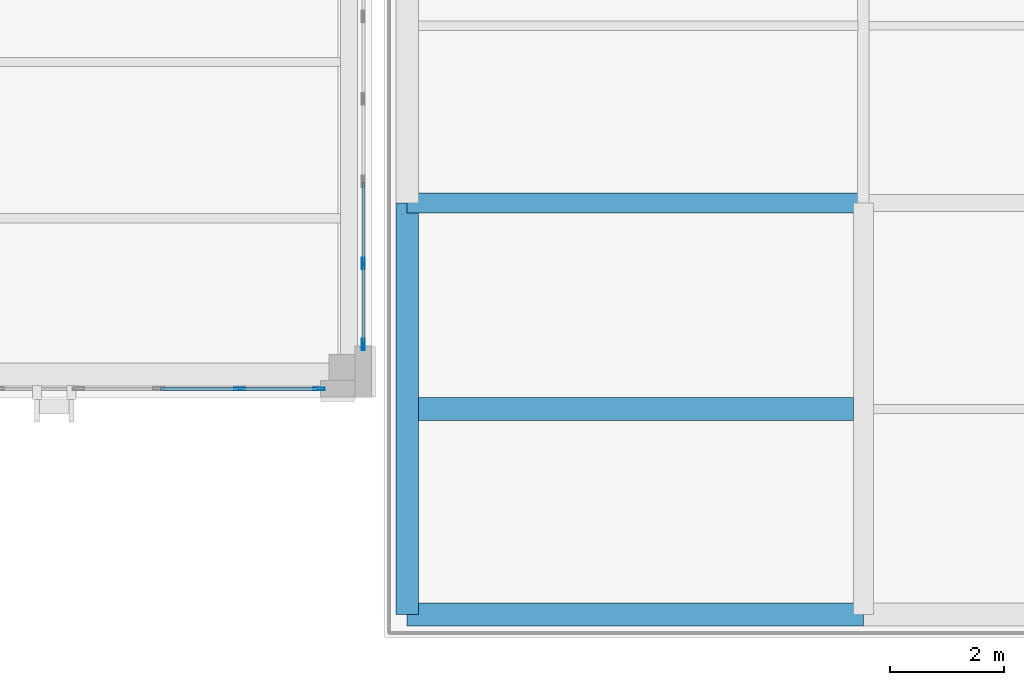
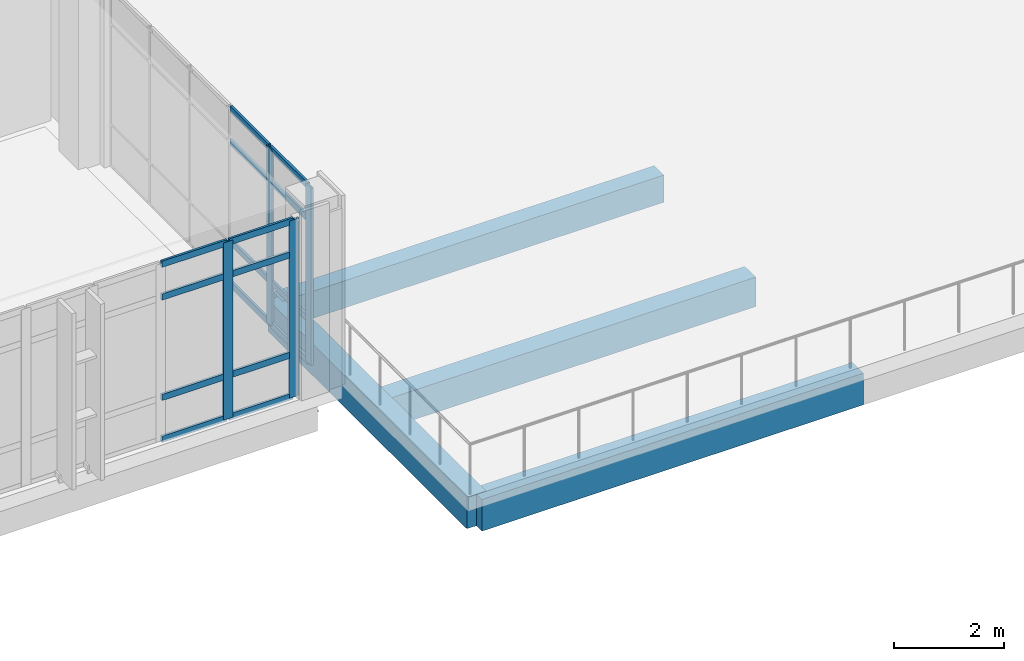
# One storey, part 47 of 165: 20 members, 4 beams, 2 elements without a shape of their own.
"""IFC4 building model written with IfcOpenShell, lengths in metres."""

from ifc_helpers import new_model, si_unit, direction, frame, origin, origin_2d, place, context, subcontext, project, spatial, rectangle, hollow_rectangle, extrude, material, layer, layer_set, material_profile, profile_set, type_object, element, aggregate, save


model = new_model("IFC4")

# Units and contexts
model_context = context("Model", 3, precision=1e-05, world=origin(), true_north=direction((0.0, 1.0)))
body_context = subcontext(model_context, "Body", "Model", "MODEL_VIEW")
ifc_project = project(units=[si_unit("LENGTHUNIT", "METRE"), si_unit("AREAUNIT", "SQUARE_METRE"), si_unit("VOLUMEUNIT", "CUBIC_METRE"), si_unit("PLANEANGLEUNIT", "RADIAN"), si_unit("MASSUNIT", "GRAM", prefix="KILO")], contexts=[model_context])

# Site, building, storey
site_placement = place(None, origin())
site = spatial("IfcSite", under=ifc_project, at=site_placement, CompositionType="ELEMENT")
building_placement = place(site_placement, origin())
building = spatial("IfcBuilding", under=site, at=building_placement, Name="Qalavern Law Courts", CompositionType="ELEMENT")
storey_placement = place(building_placement, frame((0.0, 0.0, 14.39990234375)))
storey = spatial("IfcBuildingStorey", under=building, at=storey_placement, Name="L03", CompositionType="ELEMENT", Elevation=14.39990234375)

# Curtain wall, members
ifc_material_1 = material(Name="Anodised aluminium and insulated glazing", Category="aluminium")
ifc_layer = layer(ifc_material_1, 0.18505859375)
ifc_layer_set = layer_set([ifc_layer], Name="Anodised aluminium and insulated glazing")
curtain_wall_type = type_object("IfcCurtainWallType", Name="ENV-CW-HALL", PredefinedType="USERDEFINED", material=ifc_layer_set)
curtain_wall_1_placement = place(storey_placement, origin())
curtain_wall_1 = element("IfcCurtainWall", 1, at=curtain_wall_1_placement, inside=storey, type_object=curtain_wall_type, Name="V2 unitised curtain wall L03 south 6", ObjectType="UNITISED CURTAIN WALL", PredefinedType="USERDEFINED")
ifc_material_2 = material(Name="Anodised aluminium", Category="aluminium")
ifc_material_profile_1 = material_profile(ifc_material_2, hollow_rectangle(XDim=0.048095703125, YDim=0.199951171875, WallThickness=0.00439453125, at=origin_2d()), Name="ALU MULLION 48x200")
ifc_profile_set_1 = profile_set([ifc_material_profile_1], Name="Anodised aluminium")
member_type_1 = type_object("IfcMemberType", Name="ENV-CWM-48x200", PredefinedType="MULLION", material=ifc_profile_set_1)
member_1_placement = place(storey_placement, frame((98.890869140625, 5.347412109375, 0.0), z_axis=(0.0, 0.0, 1.0), x_axis=(0.0, 1.0, 0.0)))
member_1 = element("IfcMember", 2, at=member_1_placement, type_object=member_type_1, Name="CW-02 mullion 6", PredefinedType="MULLION", context=body_context, shape_type="SweptSolid", body=[
    extrude(hollow_rectangle(XDim=0.048095703125, YDim=0.199951171875, WallThickness=0.00439453125, at=origin_2d()), origin(), (0.0, 0.0, 1.0), 3.920166015625),
])
member_2_placement = place(storey_placement, frame((100.27587890625, 5.347412109375, 0.0), z_axis=(0.0, 0.0, 1.0), x_axis=(0.0, 1.0, 0.0)))
member_2 = element("IfcMember", 3, at=member_2_placement, type_object=member_type_1, Name="CW-02 mullion 7", PredefinedType="MULLION", context=body_context, shape_type="SweptSolid", body=[
    extrude(hollow_rectangle(XDim=0.048095703125, YDim=0.199951171875, WallThickness=0.00439453125, at=origin_2d()), origin(), (0.0, 0.0, 1.0), 3.920166015625),
])

curtain_wall_2_placement = place(storey_placement, origin())
curtain_wall_2 = element("IfcCurtainWall", 4, at=curtain_wall_2_placement, inside=storey, type_object=curtain_wall_type, Name="V2 unitised curtain wall L03 east 1", ObjectType="UNITISED CURTAIN WALL", PredefinedType="USERDEFINED")
member_3_placement = place(storey_placement, frame((101.052490234375, 6.1240234375, 0.0), z_axis=(0.0, 0.0, 1.0), x_axis=(-1.0, 0.0, 0.0)))
member_3 = element("IfcMember", 5, at=member_3_placement, type_object=member_type_1, Name="CW-02 mullion 1", PredefinedType="MULLION", context=body_context, shape_type="SweptSolid", body=[
    extrude(hollow_rectangle(XDim=0.048095703125, YDim=0.199951171875, WallThickness=0.00439453125, at=origin_2d()), origin(), (0.0, 0.0, 1.0), 3.920166015625),
])
member_4_placement = place(storey_placement, frame((101.052490234375, 7.5400390625, 0.0), z_axis=(0.0, 0.0, 1.0), x_axis=(-1.0, 0.0, 0.0)))
member_4 = element("IfcMember", 6, at=member_4_placement, type_object=member_type_1, Name="CW-02 mullion 2", PredefinedType="MULLION", context=body_context, shape_type="SweptSolid", body=[
    extrude(hollow_rectangle(XDim=0.048095703125, YDim=0.199951171875, WallThickness=0.00439453125, at=origin_2d()), origin(), (0.0, 0.0, 1.0), 3.920166015625),
])

# Member
ifc_material_profile_2 = material_profile(ifc_material_2, hollow_rectangle(XDim=0.048095703125, YDim=0.139892578125, WallThickness=0.00390625, at=origin_2d()), Name="ALU TRANSOM 48x140")
ifc_profile_set_2 = profile_set([ifc_material_profile_2], Name="Anodised aluminium")
member_type_2 = type_object("IfcMemberType", Name="ENV-CWT-48x140", PredefinedType="USERDEFINED", material=ifc_profile_set_2)
member_5_placement = place(storey_placement, frame((97.505859375, 5.347412109375, 0.024169921875), z_axis=(1.0, 0.0, 0.0), x_axis=(0.0, 1.0, 0.0)))
member_5 = element("IfcMember", 7, at=member_5_placement, type_object=member_type_2, Name="CW-02 transom 5.1", ObjectType="TRANSOM", PredefinedType="USERDEFINED", context=body_context, shape_type="SweptSolid", body=[
    extrude(hollow_rectangle(XDim=0.048095703125, YDim=0.139892578125, WallThickness=0.00390625, at=origin_2d()), origin(), (0.0, 0.0, 1.0), 1.361083984375),
])

member_6_placement = place(storey_placement, frame((97.505859375, 5.347412109375, 0.9501953125), z_axis=(1.0, 0.0, 0.0), x_axis=(0.0, 1.0, 0.0)))
member_6 = element("IfcMember", 8, at=member_6_placement, type_object=member_type_2, Name="CW-02 transom 5.2", ObjectType="TRANSOM", PredefinedType="USERDEFINED", context=body_context, shape_type="SweptSolid", body=[
    extrude(hollow_rectangle(XDim=0.048095703125, YDim=0.139892578125, WallThickness=0.00390625, at=origin_2d()), origin(), (0.0, 0.0, 1.0), 1.361083984375),
])

member_7_placement = place(storey_placement, frame((97.505859375, 5.347412109375, 3.170166015625), z_axis=(1.0, 0.0, 0.0), x_axis=(0.0, 1.0, 0.0)))
member_7 = element("IfcMember", 9, at=member_7_placement, type_object=member_type_2, Name="CW-02 transom 5.3", ObjectType="TRANSOM", PredefinedType="USERDEFINED", context=body_context, shape_type="SweptSolid", body=[
    extrude(hollow_rectangle(XDim=0.048095703125, YDim=0.139892578125, WallThickness=0.00390625, at=origin_2d()), origin(), (0.0, 0.0, 1.0), 1.361083984375),
])

member_8_placement = place(storey_placement, frame((97.505859375, 5.347412109375, 3.89599609375), z_axis=(1.0, 0.0, 0.0), x_axis=(0.0, 1.0, 0.0)))
member_8 = element("IfcMember", 10, at=member_8_placement, type_object=member_type_2, Name="CW-02 transom 5.4", ObjectType="TRANSOM", PredefinedType="USERDEFINED", context=body_context, shape_type="SweptSolid", body=[
    extrude(hollow_rectangle(XDim=0.048095703125, YDim=0.139892578125, WallThickness=0.00390625, at=origin_2d()), origin(), (0.0, 0.0, 1.0), 1.361083984375),
])

member_9_placement = place(storey_placement, frame((98.9150390625, 5.347412109375, 0.024169921875), z_axis=(1.0, 0.0, 0.0), x_axis=(0.0, 1.0, 0.0)))
member_9 = element("IfcMember", 11, at=member_9_placement, type_object=member_type_2, Name="CW-02 transom 6.1", ObjectType="TRANSOM", PredefinedType="USERDEFINED", context=body_context, shape_type="SweptSolid", body=[
    extrude(hollow_rectangle(XDim=0.048095703125, YDim=0.139892578125, WallThickness=0.00390625, at=origin_2d()), origin(), (0.0, 0.0, 1.0), 1.3369140625),
])

member_10_placement = place(storey_placement, frame((98.9150390625, 5.347412109375, 0.9501953125), z_axis=(1.0, 0.0, 0.0), x_axis=(0.0, 1.0, 0.0)))
member_10 = element("IfcMember", 12, at=member_10_placement, type_object=member_type_2, Name="CW-02 transom 6.2", ObjectType="TRANSOM", PredefinedType="USERDEFINED", context=body_context, shape_type="SweptSolid", body=[
    extrude(hollow_rectangle(XDim=0.048095703125, YDim=0.139892578125, WallThickness=0.00390625, at=origin_2d()), origin(), (0.0, 0.0, 1.0), 1.3369140625),
])

member_11_placement = place(storey_placement, frame((98.9150390625, 5.347412109375, 3.170166015625), z_axis=(1.0, 0.0, 0.0), x_axis=(0.0, 1.0, 0.0)))
member_11 = element("IfcMember", 13, at=member_11_placement, type_object=member_type_2, Name="CW-02 transom 6.3", ObjectType="TRANSOM", PredefinedType="USERDEFINED", context=body_context, shape_type="SweptSolid", body=[
    extrude(hollow_rectangle(XDim=0.048095703125, YDim=0.139892578125, WallThickness=0.00390625, at=origin_2d()), origin(), (0.0, 0.0, 1.0), 1.3369140625),
])

member_12_placement = place(storey_placement, frame((98.9150390625, 5.347412109375, 3.89599609375), z_axis=(1.0, 0.0, 0.0), x_axis=(0.0, 1.0, 0.0)))
member_12 = element("IfcMember", 14, at=member_12_placement, type_object=member_type_2, Name="CW-02 transom 6.4", ObjectType="TRANSOM", PredefinedType="USERDEFINED", context=body_context, shape_type="SweptSolid", body=[
    extrude(hollow_rectangle(XDim=0.048095703125, YDim=0.139892578125, WallThickness=0.00390625, at=origin_2d()), origin(), (0.0, 0.0, 1.0), 1.3369140625),
])

aggregate(curtain_wall_1, [member_1, member_2, member_5, member_6, member_7, member_8, member_9, member_10, member_11, member_12])

member_13_placement = place(storey_placement, frame((101.052490234375, 6.14794921875, 0.024169921875), z_axis=(0.0, 1.0, 0.0), x_axis=(-1.0, 0.0, 0.0)))
member_13 = element("IfcMember", 15, at=member_13_placement, type_object=member_type_2, Name="CW-02 transom 1.1", ObjectType="TRANSOM", PredefinedType="USERDEFINED", context=body_context, shape_type="SweptSolid", body=[
    extrude(hollow_rectangle(XDim=0.048095703125, YDim=0.139892578125, WallThickness=0.00390625, at=origin_2d()), origin(), (0.0, 0.0, 1.0), 1.3681640625),
])

member_14_placement = place(storey_placement, frame((101.052490234375, 6.14794921875, 0.9501953125), z_axis=(0.0, 1.0, 0.0), x_axis=(-1.0, 0.0, 0.0)))
member_14 = element("IfcMember", 16, at=member_14_placement, type_object=member_type_2, Name="CW-02 transom 1.2", ObjectType="TRANSOM", PredefinedType="USERDEFINED", context=body_context, shape_type="SweptSolid", body=[
    extrude(hollow_rectangle(XDim=0.048095703125, YDim=0.139892578125, WallThickness=0.00390625, at=origin_2d()), origin(), (0.0, 0.0, 1.0), 1.3681640625),
])

member_15_placement = place(storey_placement, frame((101.052490234375, 6.14794921875, 3.170166015625), z_axis=(0.0, 1.0, 0.0), x_axis=(-1.0, 0.0, 0.0)))
member_15 = element("IfcMember", 17, at=member_15_placement, type_object=member_type_2, Name="CW-02 transom 1.3", ObjectType="TRANSOM", PredefinedType="USERDEFINED", context=body_context, shape_type="SweptSolid", body=[
    extrude(hollow_rectangle(XDim=0.048095703125, YDim=0.139892578125, WallThickness=0.00390625, at=origin_2d()), origin(), (0.0, 0.0, 1.0), 1.3681640625),
])

member_16_placement = place(storey_placement, frame((101.052490234375, 6.14794921875, 3.89599609375), z_axis=(0.0, 1.0, 0.0), x_axis=(-1.0, 0.0, 0.0)))
member_16 = element("IfcMember", 18, at=member_16_placement, type_object=member_type_2, Name="CW-02 transom 1.4", ObjectType="TRANSOM", PredefinedType="USERDEFINED", context=body_context, shape_type="SweptSolid", body=[
    extrude(hollow_rectangle(XDim=0.048095703125, YDim=0.139892578125, WallThickness=0.00390625, at=origin_2d()), origin(), (0.0, 0.0, 1.0), 1.3681640625),
])

member_17_placement = place(storey_placement, frame((101.052490234375, 7.56396484375, 0.024169921875), z_axis=(0.0, 1.0, 0.0), x_axis=(-1.0, 0.0, 0.0)))
member_17 = element("IfcMember", 19, at=member_17_placement, type_object=member_type_2, Name="CW-02 transom 2.1", ObjectType="TRANSOM", PredefinedType="USERDEFINED", context=body_context, shape_type="SweptSolid", body=[
    extrude(hollow_rectangle(XDim=0.048095703125, YDim=0.139892578125, WallThickness=0.00390625, at=origin_2d()), origin(), (0.0, 0.0, 1.0), 1.39208984375),
])

member_18_placement = place(storey_placement, frame((101.052490234375, 7.56396484375, 0.9501953125), z_axis=(0.0, 1.0, 0.0), x_axis=(-1.0, 0.0, 0.0)))
member_18 = element("IfcMember", 20, at=member_18_placement, type_object=member_type_2, Name="CW-02 transom 2.2", ObjectType="TRANSOM", PredefinedType="USERDEFINED", context=body_context, shape_type="SweptSolid", body=[
    extrude(hollow_rectangle(XDim=0.048095703125, YDim=0.139892578125, WallThickness=0.00390625, at=origin_2d()), origin(), (0.0, 0.0, 1.0), 1.39208984375),
])

member_19_placement = place(storey_placement, frame((101.052490234375, 7.56396484375, 3.170166015625), z_axis=(0.0, 1.0, 0.0), x_axis=(-1.0, 0.0, 0.0)))
member_19 = element("IfcMember", 21, at=member_19_placement, type_object=member_type_2, Name="CW-02 transom 2.3", ObjectType="TRANSOM", PredefinedType="USERDEFINED", context=body_context, shape_type="SweptSolid", body=[
    extrude(hollow_rectangle(XDim=0.048095703125, YDim=0.139892578125, WallThickness=0.00390625, at=origin_2d()), origin(), (0.0, 0.0, 1.0), 1.39208984375),
])

member_20_placement = place(storey_placement, frame((101.052490234375, 7.56396484375, 3.89599609375), z_axis=(0.0, 1.0, 0.0), x_axis=(-1.0, 0.0, 0.0)))
member_20 = element("IfcMember", 22, at=member_20_placement, type_object=member_type_2, Name="CW-02 transom 2.4", ObjectType="TRANSOM", PredefinedType="USERDEFINED", context=body_context, shape_type="SweptSolid", body=[
    extrude(hollow_rectangle(XDim=0.048095703125, YDim=0.139892578125, WallThickness=0.00390625, at=origin_2d()), origin(), (0.0, 0.0, 1.0), 1.39208984375),
])

aggregate(curtain_wall_2, [member_3, member_4, member_13, member_14, member_15, member_16, member_17, member_18, member_19, member_20])

# Beams
ifc_material_3 = material(Name="Concrete C35/45", Category="concrete")
ifc_material_profile_3 = material_profile(ifc_material_3, rectangle(XDim=0.35009765625, YDim=0.60009765625, at=origin_2d()), Name="RC 350x600")
ifc_profile_set_3 = profile_set([ifc_material_profile_3], Name="Concrete C35/45")
beam_type_1 = type_object("IfcBeamType", Name="STR-BM-RC350x600", PredefinedType="BEAM", material=ifc_profile_set_3)
beam_1_placement = place(storey_placement, frame((101.820068359375, 8.60009765625, -0.61181640625), z_axis=(1.0, 0.0, 0.0), x_axis=(0.0, 1.0, 0.0)))
element("IfcBeam", 23, at=beam_1_placement, inside=storey, type_object=beam_type_1, Name="V6 X-beam 2-1 L03", PredefinedType="BEAM", context=body_context, shape_type="SweptSolid", body=[
    extrude(rectangle(XDim=0.35009765625, YDim=0.60009765625, at=origin_2d()), origin(), (0.0, 0.0, 1.0), 7.97998046875),
])
ifc_material_profile_4 = material_profile(ifc_material_3, rectangle(XDim=0.39990234375, YDim=0.64990234375, at=origin_2d()), Name="RC 400x650")
ifc_profile_set_4 = profile_set([ifc_material_profile_4], Name="Concrete C35/45")
beam_type_2 = type_object("IfcBeamType", Name="STR-JST-RC400x650", PredefinedType="JOIST", material=ifc_profile_set_4)
beam_2_placement = place(storey_placement, frame((102.01806640625, 5.0, -0.636962890625), z_axis=(1.0, 0.0, 0.0), x_axis=(0.0, 1.0, 0.0)))
element("IfcBeam", 24, at=beam_2_placement, inside=storey, type_object=beam_type_2, Name="V6 secondary joist 1.1.1 L03", PredefinedType="JOIST", context=body_context, shape_type="SweptSolid", body=[
    extrude(rectangle(XDim=0.39990234375, YDim=0.64990234375, at=origin_2d()), origin(), (0.0, 0.0, 1.0), 7.60888671875),
])
ifc_material_4 = material(Name="Concrete C40/50", Category="concrete")
ifc_material_profile_5 = material_profile(ifc_material_4, rectangle(XDim=0.39990234375, YDim=0.699951171875, at=origin_2d()), Name="RC 400x700")
ifc_profile_set_5 = profile_set([ifc_material_profile_5], Name="Concrete C40/50")
beam_type_3 = type_object("IfcBeamType", Name="STR-SP-RC400x700", PredefinedType="SPANDREL", material=ifc_profile_set_5)
beam_3_placement = place(storey_placement, frame((101.820068359375, 1.39990234375, -0.661865234375), z_axis=(1.0, 0.0, 0.0), x_axis=(0.0, 1.0, 0.0)))
element("IfcBeam", 25, at=beam_3_placement, inside=storey, type_object=beam_type_3, Name="V6 X-beam 1-1 L03", PredefinedType="SPANDREL", context=body_context, shape_type="SweptSolid", body=[
    extrude(rectangle(XDim=0.39990234375, YDim=0.699951171875, at=origin_2d()), origin(), (0.0, 0.0, 1.0), 7.97998046875),
])
beam_4_placement = place(storey_placement, frame((101.820068359375, 1.39990234375, -0.661865234375), z_axis=(0.0, 1.0, 0.0), x_axis=(-1.0, 0.0, 0.0)))
element("IfcBeam", 26, at=beam_4_placement, inside=storey, type_object=beam_type_3, Name="V6 Y-beam 1-1 L03", PredefinedType="SPANDREL", context=body_context, shape_type="SweptSolid", body=[
    extrude(rectangle(XDim=0.39990234375, YDim=0.699951171875, at=origin_2d()), origin(), (0.0, 0.0, 1.0), 7.2001953125),
])

save(model, "model.ifc")
